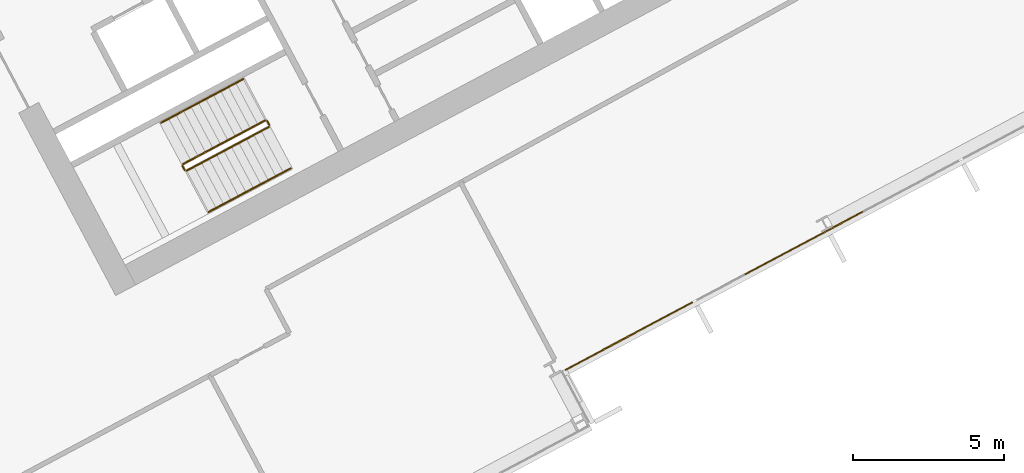
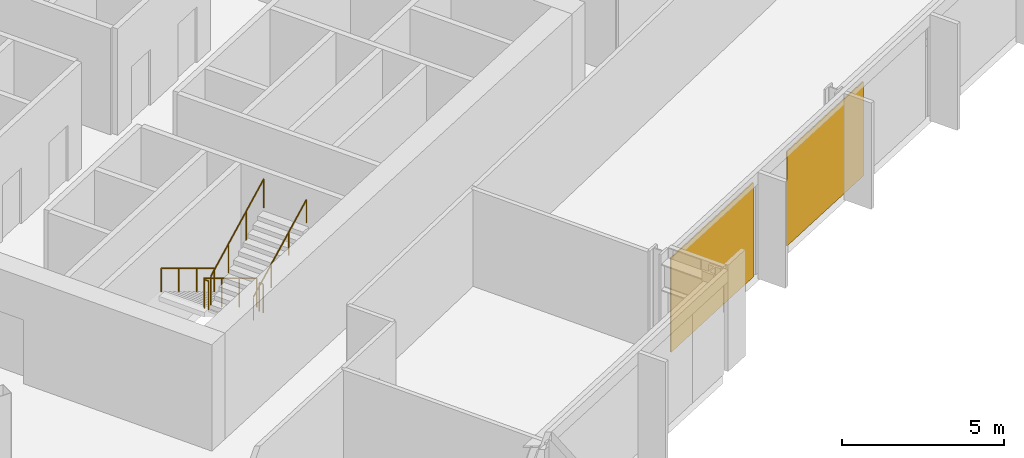
# One storey, part 25 of 28: 6 railings, 2 coverings, 1 element without a shape of its own.
"""IFC4 building model written with IfcOpenShell, lengths in metres."""

import ifcopenshell
import ifcopenshell.guid

model = None  # the IFC model being written
_history = None  # IfcOwnerHistory: only IFC2X3 demands one
_inside = {}  # id of a spatial element -> (the spatial element, [elements in it])
_under = {}  # id of a project, library or spatial element -> (it, [spatial elements below it])
_declared = {}  # id of a project -> (the project, [libraries it declares])
_typed = {}  # id of a type object -> (the type object, [elements of that type])
_made_of = {}  # id of a material, layer set ... -> (it, [elements and type objects made of it])


def new_model(schema):
    """Start an empty IFC model of exactly this schema.

    Asked for "IFC4X3", IfcOpenShell would pick the latest addendum, in which some entities
    have other attributes; the version numbers below select the first issue.
    IFC2X3 requires an IfcOwnerHistory on every rooted entity: one is made here for all.
    """
    global model, _history
    if schema == "IFC4X3":
        model = ifcopenshell.file(schema_version=(4, 3, 0, 0))
    else:
        model = ifcopenshell.file(schema=schema)
    _inside.clear()
    _under.clear()
    _declared.clear()
    _typed.clear()
    _made_of.clear()
    _history = None
    if model.schema == "IFC2X3":
        org = make("IfcOrganization", Name="unknown")
        user = make(
            "IfcPersonAndOrganization",
            ThePerson=make("IfcPerson", FamilyName="unknown"),
            TheOrganization=org,
        )
        app = make(
            "IfcApplication",
            ApplicationDeveloper=org,
            Version="unknown",
            ApplicationFullName="unknown",
            ApplicationIdentifier="unknown",
        )
        _history = make(
            "IfcOwnerHistory",
            OwningUser=user,
            OwningApplication=app,
            ChangeAction="ADDED",
            CreationDate=0,
        )
    return model


def make(cls, **values):
    """One entity of the class cls with the attributes given. An attribute that is None is left unset."""
    return model.create_entity(
        cls, **{name: value for name, value in values.items() if value is not None}
    )


def rooted(cls, **values):
    """An entity with a GlobalId (a new one), such as an element, a storey or a relation."""
    return make(cls, GlobalId=ifcopenshell.guid.new(), OwnerHistory=_history, **values)


def si_unit(unit_type, name, prefix=None):
    """IfcSIUnit, for example si_unit("LENGTHUNIT", "METRE", prefix="MILLI")."""
    return make("IfcSIUnit", UnitType=unit_type, Prefix=prefix, Name=name)


def assignment(units):
    """IfcUnitAssignment: the units of a project."""
    return None if units is None else make("IfcUnitAssignment", Units=units)


def point(xyz):
    """IfcCartesianPoint."""
    return None if xyz is None else make("IfcCartesianPoint", Coordinates=xyz)


def direction(xyz):
    """IfcDirection."""
    return None if xyz is None else make("IfcDirection", DirectionRatios=xyz)


def frame(location, z_axis=None, x_axis=None):
    """IfcAxis2Placement3D, a coordinate frame: its origin and axes. An axis left out is left unset."""
    return make(
        "IfcAxis2Placement3D",
        Location=point(location),
        Axis=direction(z_axis),
        RefDirection=direction(x_axis),
    )


def frame_2d(location, x_axis=None):
    """IfcAxis2Placement2D, a coordinate frame in the plane: its origin and x axis."""
    return make(
        "IfcAxis2Placement2D", Location=point(location), RefDirection=direction(x_axis)
    )


def origin():
    """The frame at (0, 0, 0) with its axes left unset."""
    return frame((0.0, 0.0, 0.0))


def origin_2d():
    """The frame at (0, 0) in the plane with its x axis left unset."""
    return frame_2d((0.0, 0.0))


def place(relative_to, where):
    """IfcLocalPlacement: puts the frame where relative to a parent placement (None: the world)."""
    return make(
        "IfcLocalPlacement", PlacementRelTo=relative_to, RelativePlacement=where
    )


def context(
    kind, dimensions, precision=None, world=None, true_north=None, identifier=None
):
    """IfcGeometricRepresentationContext, for example the 3D "Model" context."""
    return make(
        "IfcGeometricRepresentationContext",
        ContextIdentifier=identifier,
        ContextType=kind,
        CoordinateSpaceDimension=dimensions,
        Precision=precision,
        WorldCoordinateSystem=world,
        TrueNorth=true_north,
    )


def subcontext(parent, identifier, kind, view, scale=None):
    """IfcGeometricRepresentationSubContext, for example "Body" below "Model"."""
    return make(
        "IfcGeometricRepresentationSubContext",
        ContextIdentifier=identifier,
        ContextType=kind,
        ParentContext=parent,
        TargetScale=scale,
        TargetView=view,
    )


def project(units=None, contexts=None):
    """IfcProject with its units and contexts."""
    return rooted(
        "IfcProject",
        Name="project",
        RepresentationContexts=contexts,
        UnitsInContext=assignment(units),
    )


def spatial(cls, under=None, at=None, **own):
    """A site, building, storey or space (cls), placed at a placement, below another one or the project."""
    s = rooted(cls, ObjectPlacement=at, **own)
    if under is not None:
        _under.setdefault(under.id(), (under, []))[1].append(s)
    return s


def polyline(points):
    """IfcPolyline through the points."""
    return make("IfcPolyline", Points=[point(p) for p in points])


def profile(cls, at=None, kind="AREA", **sizes):
    """A parametric profile (cls). Its sizes go by their IFC names, for example OverallWidth=200.0."""
    return make(cls, ProfileType=kind, Position=at, **sizes)


def rectangle(**sizes):
    """IfcRectangleProfileDef."""
    return profile("IfcRectangleProfileDef", **sizes)


def outline(outer, holes=None, kind="AREA"):
    """IfcArbitraryClosedProfileDef: a profile drawn as a closed curve; with holes, ...WithVoids."""
    if holes is None:
        return make("IfcArbitraryClosedProfileDef", ProfileType=kind, OuterCurve=outer)
    return make(
        "IfcArbitraryProfileDefWithVoids",
        ProfileType=kind,
        OuterCurve=outer,
        InnerCurves=holes,
    )


def extrude(swept, where, along, depth):
    """IfcExtrudedAreaSolid: the profile swept, set in the frame where, extruded along a direction by depth."""
    return make(
        "IfcExtrudedAreaSolid",
        SweptArea=swept,
        Position=where,
        ExtrudedDirection=direction(along),
        Depth=depth,
    )


def shape(context_of_items, identifier, shape_type, items):
    """IfcShapeRepresentation: the items that make up one representation, for example the "Body"."""
    return make(
        "IfcShapeRepresentation",
        ContextOfItems=context_of_items,
        RepresentationIdentifier=identifier,
        RepresentationType=shape_type,
        Items=items,
    )


def material(Name=None, Category=None):
    """IfcMaterial."""
    return make("IfcMaterial", Name=Name, Category=Category)


def layer(
    of_material, thickness, ventilated=None, Name=None, Category=None, Priority=None
):
    """IfcMaterialLayer: one layer of a wall or slab, of a material (None: an air gap)."""
    return make(
        "IfcMaterialLayer",
        Material=of_material,
        LayerThickness=thickness,
        IsVentilated=ventilated,
        Name=Name,
        Category=Category,
        Priority=Priority,
    )


def layer_set(layers, Name=None):
    """IfcMaterialLayerSet."""
    return make("IfcMaterialLayerSet", MaterialLayers=layers, LayerSetName=Name)


def made_of(thing, what):
    """Note that an element or type object is made of a material, layer set ...; save() writes the relation."""
    if what is not None:
        _made_of.setdefault(what.id(), (what, []))[1].append(thing)
    return thing


def type_object(cls, material=None, **own):
    """A type object (cls), such as IfcWallType, which elements share."""
    return made_of(rooted(cls, **own), material)


def element(
    cls,
    number,
    at=None,
    inside=None,
    cuts=None,
    type_object=None,
    material=None,
    context=None,
    identifier="Body",
    shape_type=None,
    held_by="IfcProductDefinitionShape",
    body=None,
    shapes=None,
    **own,
):
    """One element of the class cls, such as IfcWall. Its Tag is "e" and its number.

    at: its placement. inside: the storey or other place that contains it. cuts: it is an
    opening in that element (IfcRelVoidsElement). A single representation is given by context,
    identifier, shape_type and body (its items); several are given by shapes. held_by: the class
    of the entity that holds the representations. save() writes the other relations.
    """
    e = rooted(cls, Tag="e%d" % number, ObjectPlacement=at, **own)
    if body is not None:
        shapes = [shape(context, identifier, shape_type, body)]
    if shapes is not None:
        e.Representation = make(held_by, Representations=shapes)
    if inside is not None:
        _inside.setdefault(inside.id(), (inside, []))[1].append(e)
    if cuts is not None:
        rooted(
            "IfcRelVoidsElement", RelatingBuildingElement=cuts, RelatedOpeningElement=e
        )
    if type_object is not None:
        _typed.setdefault(type_object.id(), (type_object, []))[1].append(e)
    return made_of(e, material)


def aggregate(whole, parts):
    """IfcRelAggregates: a whole, such as a stair, and the parts it consists of."""
    return rooted("IfcRelAggregates", RelatingObject=whole, RelatedObjects=parts)


def save(model, path):
    """Write the relations noted so far, then the file.

    IfcRelAggregates (storeys below a building ...), IfcRelContainedInSpatialStructure (elements
    in a storey), IfcRelDefinesByType, IfcRelAssociatesMaterial and IfcRelDeclares: one each for
    every whole, place, type object, material and project.
    """
    for whole, parts in _under.values():
        aggregate(whole, parts)
    for where, things in _inside.values():
        rooted(
            "IfcRelContainedInSpatialStructure",
            RelatedElements=things,
            RelatingStructure=where,
        )
    for kind, things in _typed.values():
        rooted("IfcRelDefinesByType", RelatedObjects=things, RelatingType=kind)
    for what, things in _made_of.values():
        rooted("IfcRelAssociatesMaterial", RelatedObjects=things, RelatingMaterial=what)
    for by, libraries in _declared.values():
        rooted("IfcRelDeclares", RelatingContext=by, RelatedDefinitions=libraries)
    model.write(path)


model = new_model("IFC4")

# Units and contexts
model_context = context("Model", 3, precision=1e-05, world=origin(), true_north=direction((0.0, 1.0)))
body_context = subcontext(model_context, "Body", "Model", "MODEL_VIEW")
ifc_project = project(units=[si_unit("LENGTHUNIT", "METRE"), si_unit("AREAUNIT", "SQUARE_METRE"), si_unit("VOLUMEUNIT", "CUBIC_METRE"), si_unit("PLANEANGLEUNIT", "RADIAN"), si_unit("MASSUNIT", "GRAM", prefix="KILO")], contexts=[model_context])

# Site, building, storey
site_placement = place(None, origin())
site = spatial("IfcSite", under=ifc_project, at=site_placement, CompositionType="ELEMENT")
building_placement = place(site_placement, origin())
building = spatial("IfcBuilding", under=site, at=building_placement, Name="Cormorant Relay Tower", CompositionType="ELEMENT")
storey_placement = place(building_placement, frame((0.0, 0.0, 166.199951171875)))
storey = spatial("IfcBuildingStorey", under=building, at=storey_placement, Name="L35", CompositionType="ELEMENT", Elevation=166.199951171875)

# Curtain wall, coverings
ifc_material_1 = material(Name="Aluminium 6063-T6 anodised bronze", Category="aluminium")
ifc_layer_1 = layer(ifc_material_1, 0.199951171875)
ifc_layer_set_1 = layer_set([ifc_layer_1], Name="CW1 unitised bronze curtain wall with vertical fins")
curtain_wall_type = type_object("IfcCurtainWallType", Name="CW1 unitised bronze curtain wall with vertical fins", PredefinedType="NOTDEFINED", material=ifc_layer_set_1)
curtain_wall_placement = place(storey_placement, origin())
curtain_wall = element("IfcCurtainWall", 1, at=curtain_wall_placement, inside=storey, type_object=curtain_wall_type, Name="CW1 curtain wall 4", PredefinedType="NOTDEFINED")
ifc_material_2 = material(Name="Pale bronze anodised aluminium insulated panel", Category="aluminium")
ifc_layer_2 = layer(ifc_material_2, 0.0400390625)
ifc_layer_set_2 = layer_set([ifc_layer_2], Name="CW1 pale bronze insulated panel 40")
covering_type = type_object("IfcCoveringType", Name="CW1 pale bronze insulated panel 40", PredefinedType="CLADDING", material=ifc_layer_set_2)
covering_1_placement = place(storey_placement, frame((35.892333984375, -2.457275390625, 0.0), z_axis=(0.0, 0.0, 1.0), x_axis=(0.882947592859, 0.469471562786, 0.0)))
covering_1 = element("IfcCovering", 2, at=covering_1_placement, type_object=covering_type, Name="CW1 panel S00", PredefinedType="CLADDING", context=body_context, shape_type="SweptSolid", body=[
    extrude(rectangle(XDim=4.77490234375, YDim=0.0400390625, at=origin_2d()), origin(), (0.0, 0.0, 1.0), 3.550048828125),
])
covering_2_placement = place(storey_placement, frame((41.686767578125, 0.623779296875, 0.0), z_axis=(0.0, 0.0, 1.0), x_axis=(0.882947592859, 0.469471562786, 0.0)))
covering_2 = element("IfcCovering", 3, at=covering_2_placement, type_object=covering_type, Name="CW1 panel S02", PredefinedType="CLADDING", context=body_context, shape_type="SweptSolid", body=[
    extrude(rectangle(XDim=4.449951171875, YDim=0.0400390625, at=origin_2d()), origin(), (0.0, 0.0, 1.0), 3.550048828125),
])
aggregate(curtain_wall, [covering_1, covering_2])

# Railings
ifc_material_3 = material(Name="Steel ASTM A572 Grade 50 (Fy 345 MPa)", Category="steel")
railing_type_1 = type_object("IfcRailingType", Name="Stair guard 1100", PredefinedType="GUARDRAIL", material=ifc_material_3)
railing_1_placement = place(storey_placement, frame((23.83837890625, 4.6904296875, 0.166748046875)))
element("IfcRailing", 4, at=railing_1_placement, inside=storey, type_object=railing_type_1, Name="L35 B1 stair guard 1", PredefinedType="GUARDRAIL", context=body_context, shape_type="SweptSolid", body=[
    extrude(outline(polyline([(0.022216796875, 0.00927734375), (0.00927734375, 0.022216796875), (-0.00927734375, 0.022216796875), (-0.022216796875, 0.00927734375), (-0.022216796875, -0.00927734375), (-0.00927734375, -0.022216796875), (0.00927734375, -0.022216796875), (0.022216796875, -0.00927734375), (0.022216796875, 0.00927734375)])), frame((0.0, 0.0, 1.076171875), z_axis=(-0.758713656843, -0.403434867536, 0.511462505542), x_axis=(0.469489399267, -0.882938108802, 0.0)), (0.0, 0.0, 1.0), 3.584228515625),
    extrude(outline(polyline([(0.019287109375, 0.008056640625), (0.008056640625, 0.019287109375), (-0.008056640625, 0.019287109375), (-0.019287109375, 0.008056640625), (-0.019287109375, -0.008056640625), (-0.008056640625, -0.019287109375), (0.008056640625, -0.019287109375), (0.019287109375, -0.008056640625), (0.019287109375, 0.008056640625)])), origin(), (0.0, 0.0, 1.0), 1.052001953125),
    extrude(outline(polyline([(0.019287109375, 0.008056640625), (0.008056640625, 0.019287109375), (-0.008056640625, 0.019287109375), (-0.019287109375, 0.008056640625), (-0.019287109375, -0.008056640625), (-0.008056640625, -0.019287109375), (0.008056640625, -0.019287109375), (0.019287109375, -0.008056640625), (0.019287109375, 0.008056640625)])), frame((-0.906494140625, -0.48193359375, 0.611083984375)), (0.0, 0.0, 1.0), 1.052001953125),
    extrude(outline(polyline([(0.019287109375, 0.008056640625), (0.008056640625, 0.019287109375), (-0.008056640625, 0.019287109375), (-0.019287109375, 0.008056640625), (-0.019287109375, -0.008056640625), (-0.008056640625, -0.019287109375), (0.008056640625, -0.019287109375), (0.019287109375, -0.008056640625), (0.019287109375, 0.008056640625)])), frame((-1.81298828125, -0.964111328125, 1.22216796875)), (0.0, 0.0, 1.0), 1.052001953125),
    extrude(outline(polyline([(0.019287109375, 0.008056640625), (0.008056640625, 0.019287109375), (-0.008056640625, 0.019287109375), (-0.019287109375, 0.008056640625), (-0.019287109375, -0.008056640625), (-0.008056640625, -0.019287109375), (0.008056640625, -0.019287109375), (0.019287109375, -0.008056640625), (0.019287109375, 0.008056640625)])), frame((-2.719482421875, -1.446044921875, 1.833251953125)), (0.0, 0.0, 1.0), 1.052001953125),
])
railing_2_placement = place(storey_placement, frame((21.09814453125, 3.1767578125, 2.0)))
element("IfcRailing", 5, at=railing_2_placement, inside=storey, type_object=railing_type_1, Name="L35 B1 stair guard 2", PredefinedType="GUARDRAIL", context=body_context, shape_type="SweptSolid", body=[
    extrude(outline(polyline([(0.022216796875, 0.00927734375), (0.00927734375, 0.022216796875), (-0.00927734375, 0.022216796875), (-0.022216796875, 0.00927734375), (-0.022216796875, -0.00927734375), (-0.00927734375, -0.022216796875), (0.00927734375, -0.022216796875), (0.022216796875, -0.00927734375), (0.022216796875, 0.00927734375)])), frame((0.0, 0.0, 1.076171875), z_axis=(0.469234640946, -0.883073525669, 0.0), x_axis=(0.883073525669, 0.469234640946, 0.0)), (0.0, 0.0, 1.0), 0.14990234375),
    extrude(outline(polyline([(0.019287109375, 0.008056640625), (0.008056640625, 0.019287109375), (-0.008056640625, 0.019287109375), (-0.019287109375, 0.008056640625), (-0.019287109375, -0.008056640625), (-0.008056640625, -0.019287109375), (0.008056640625, -0.019287109375), (0.019287109375, -0.008056640625), (0.019287109375, 0.008056640625)])), origin(), (0.0, 0.0, 1.0), 1.052001953125),
    extrude(outline(polyline([(0.019287109375, 0.008056640625), (0.008056640625, 0.019287109375), (-0.008056640625, 0.019287109375), (-0.019287109375, 0.008056640625), (-0.019287109375, -0.008056640625), (-0.008056640625, -0.019287109375), (0.008056640625, -0.019287109375), (0.019287109375, -0.008056640625), (0.019287109375, 0.008056640625)])), frame((0.0703125, -0.13232421875, 0.0)), (0.0, 0.0, 1.0), 1.052001953125),
])
railing_3_placement = place(storey_placement, frame((21.236083984375, 3.023681640625, 2.166748046875)))
element("IfcRailing", 6, at=railing_3_placement, inside=storey, type_object=railing_type_1, Name="L35 B1 stair guard 3", PredefinedType="GUARDRAIL", context=body_context, shape_type="SweptSolid", body=[
    extrude(outline(polyline([(0.022216796875, 0.00927734375), (0.00927734375, 0.022216796875), (-0.00927734375, 0.022216796875), (-0.022216796875, 0.00927734375), (-0.022216796875, -0.00927734375), (-0.00927734375, -0.022216796875), (0.00927734375, -0.022216796875), (0.022216796875, -0.00927734375), (0.022216796875, 0.00927734375)])), frame((0.0, 0.0, 1.076171875), z_axis=(0.758713656843, 0.403434867536, 0.511462505542), x_axis=(-0.469489399267, 0.882938108802, 0.0)), (0.0, 0.0, 1.0), 3.584228515625),
    extrude(outline(polyline([(0.019287109375, 0.008056640625), (0.008056640625, 0.019287109375), (-0.008056640625, 0.019287109375), (-0.019287109375, 0.008056640625), (-0.019287109375, -0.008056640625), (-0.008056640625, -0.019287109375), (0.008056640625, -0.019287109375), (0.019287109375, -0.008056640625), (0.019287109375, 0.008056640625)])), origin(), (0.0, 0.0, 1.0), 1.052001953125),
    extrude(outline(polyline([(0.019287109375, 0.008056640625), (0.008056640625, 0.019287109375), (-0.008056640625, 0.019287109375), (-0.019287109375, 0.008056640625), (-0.019287109375, -0.008056640625), (-0.008056640625, -0.019287109375), (0.008056640625, -0.019287109375), (0.019287109375, -0.008056640625), (0.019287109375, 0.008056640625)])), frame((0.906494140625, 0.48193359375, 0.611083984375)), (0.0, 0.0, 1.0), 1.052001953125),
    extrude(outline(polyline([(0.019287109375, 0.008056640625), (0.008056640625, 0.019287109375), (-0.008056640625, 0.019287109375), (-0.019287109375, 0.008056640625), (-0.019287109375, -0.008056640625), (-0.008056640625, -0.019287109375), (0.008056640625, -0.019287109375), (0.019287109375, -0.008056640625), (0.019287109375, 0.008056640625)])), frame((1.81298828125, 0.964111328125, 1.22216796875)), (0.0, 0.0, 1.0), 1.052001953125),
    extrude(outline(polyline([(0.019287109375, 0.008056640625), (0.008056640625, 0.019287109375), (-0.008056640625, 0.019287109375), (-0.019287109375, 0.008056640625), (-0.019287109375, -0.008056640625), (-0.008056640625, -0.019287109375), (0.008056640625, -0.019287109375), (0.019287109375, -0.008056640625), (0.019287109375, 0.008056640625)])), frame((2.719482421875, 1.446044921875, 1.833251953125)), (0.0, 0.0, 1.0), 1.052001953125),
])
railing_4_placement = place(storey_placement, frame((23.906005859375, 4.669677734375, 0.0)))
element("IfcRailing", 7, at=railing_4_placement, inside=storey, type_object=railing_type_1, Name="L35 B1 stair guard 4", PredefinedType="GUARDRAIL", context=body_context, shape_type="SweptSolid", body=[
    extrude(outline(polyline([(0.022216796875, 0.00927734375), (0.00927734375, 0.022216796875), (-0.00927734375, 0.022216796875), (-0.022216796875, 0.00927734375), (-0.022216796875, -0.00927734375), (-0.00927734375, -0.022216796875), (0.00927734375, -0.022216796875), (0.022216796875, -0.00927734375), (0.022216796875, 0.00927734375)])), frame((0.0, 0.0, 1.076171875), z_axis=(0.469234640946, -0.883073525669, 0.0), x_axis=(0.883073525669, 0.469234640946, 0.0)), (0.0, 0.0, 1.0), 0.14990234375),
    extrude(outline(polyline([(0.019287109375, 0.008056640625), (0.008056640625, 0.019287109375), (-0.008056640625, 0.019287109375), (-0.019287109375, 0.008056640625), (-0.019287109375, -0.008056640625), (-0.008056640625, -0.019287109375), (0.008056640625, -0.019287109375), (0.019287109375, -0.008056640625), (0.019287109375, 0.008056640625)])), origin(), (0.0, 0.0, 1.0), 1.052001953125),
    extrude(outline(polyline([(0.019287109375, 0.008056640625), (0.008056640625, 0.019287109375), (-0.008056640625, 0.019287109375), (-0.019287109375, 0.008056640625), (-0.019287109375, -0.008056640625), (-0.008056640625, -0.019287109375), (0.008056640625, -0.019287109375), (0.019287109375, -0.008056640625), (0.019287109375, 0.008056640625)])), frame((0.0703125, -0.13232421875, 0.0)), (0.0, 0.0, 1.0), 1.052001953125),
])
ifc_material_4 = material(Name="Steel ASTM A572 Grade 50 (Fy 345 MPa)", Category="steel")
railing_type_2 = type_object("IfcRailingType", Name="Stair handrail 900", PredefinedType="HANDRAIL", material=ifc_material_4)
railing_5_placement = place(storey_placement, frame((23.110595703125, 6.05908203125, 0.166748046875)))
element("IfcRailing", 8, at=railing_5_placement, inside=storey, type_object=railing_type_2, Name="L35 B1 stair handrail 1", PredefinedType="HANDRAIL", context=body_context, shape_type="SweptSolid", body=[
    extrude(outline(polyline([(0.022216796875, 0.00927734375), (0.00927734375, 0.022216796875), (-0.00927734375, 0.022216796875), (-0.022216796875, 0.00927734375), (-0.022216796875, -0.00927734375), (-0.00927734375, -0.022216796875), (0.00927734375, -0.022216796875), (0.022216796875, -0.00927734375), (0.022216796875, 0.00927734375)])), frame((0.0, 0.0, 0.8759765625), z_axis=(-0.758713656843, -0.403434867536, 0.511462505542), x_axis=(0.469489399267, -0.882938108802, 0.0)), (0.0, 0.0, 1.0), 3.584228515625),
    extrude(outline(polyline([(0.019287109375, 0.008056640625), (0.008056640625, 0.019287109375), (-0.008056640625, 0.019287109375), (-0.019287109375, 0.008056640625), (-0.019287109375, -0.008056640625), (-0.008056640625, -0.019287109375), (0.008056640625, -0.019287109375), (0.019287109375, -0.008056640625), (0.019287109375, 0.008056640625)])), origin(), (0.0, 0.0, 1.0), 0.851806640625),
    extrude(outline(polyline([(0.019287109375, 0.008056640625), (0.008056640625, 0.019287109375), (-0.008056640625, 0.019287109375), (-0.019287109375, 0.008056640625), (-0.019287109375, -0.008056640625), (-0.008056640625, -0.019287109375), (0.008056640625, -0.019287109375), (0.019287109375, -0.008056640625), (0.019287109375, 0.008056640625)])), frame((-0.906494140625, -0.48193359375, 0.611083984375)), (0.0, 0.0, 1.0), 0.851806640625),
    extrude(outline(polyline([(0.019287109375, 0.008056640625), (0.008056640625, 0.019287109375), (-0.008056640625, 0.019287109375), (-0.019287109375, 0.008056640625), (-0.019287109375, -0.008056640625), (-0.008056640625, -0.019287109375), (0.008056640625, -0.019287109375), (0.019287109375, -0.008056640625), (0.019287109375, 0.008056640625)])), frame((-1.81298828125, -0.964111328125, 1.22216796875)), (0.0, 0.0, 1.0), 0.851806640625),
    extrude(outline(polyline([(0.019287109375, 0.008056640625), (0.008056640625, 0.019287109375), (-0.008056640625, 0.019287109375), (-0.019287109375, 0.008056640625), (-0.019287109375, -0.008056640625), (-0.008056640625, -0.019287109375), (0.008056640625, -0.019287109375), (0.019287109375, -0.008056640625), (0.019287109375, 0.008056640625)])), frame((-2.719482421875, -1.446044921875, 1.833251953125)), (0.0, 0.0, 1.0), 0.851806640625),
])
railing_6_placement = place(storey_placement, frame((21.9638671875, 1.6552734375, 2.166748046875)))
element("IfcRailing", 9, at=railing_6_placement, inside=storey, type_object=railing_type_2, Name="L35 B1 stair handrail 2", PredefinedType="HANDRAIL", context=body_context, shape_type="SweptSolid", body=[
    extrude(outline(polyline([(0.022216796875, 0.00927734375), (0.00927734375, 0.022216796875), (-0.00927734375, 0.022216796875), (-0.022216796875, 0.00927734375), (-0.022216796875, -0.00927734375), (-0.00927734375, -0.022216796875), (0.00927734375, -0.022216796875), (0.022216796875, -0.00927734375), (0.022216796875, 0.00927734375)])), frame((0.0, 0.0, 0.8759765625), z_axis=(0.758734504837, 0.403377838015, 0.511476559549), x_axis=(-0.469427602063, 0.882970965786, 0.0)), (0.0, 0.0, 1.0), 3.584228515625),
    extrude(outline(polyline([(0.019287109375, 0.008056640625), (0.008056640625, 0.019287109375), (-0.008056640625, 0.019287109375), (-0.019287109375, 0.008056640625), (-0.019287109375, -0.008056640625), (-0.008056640625, -0.019287109375), (0.008056640625, -0.019287109375), (0.019287109375, -0.008056640625), (0.019287109375, 0.008056640625)])), origin(), (0.0, 0.0, 1.0), 0.851806640625),
    extrude(outline(polyline([(0.019287109375, 0.008056640625), (0.008056640625, 0.019287109375), (-0.008056640625, 0.019287109375), (-0.019287109375, 0.008056640625), (-0.019287109375, -0.008056640625), (-0.008056640625, -0.019287109375), (0.008056640625, -0.019287109375), (0.019287109375, -0.008056640625), (0.019287109375, 0.008056640625)])), frame((0.906494140625, 0.48193359375, 0.611083984375)), (0.0, 0.0, 1.0), 0.851806640625),
    extrude(outline(polyline([(0.019287109375, 0.008056640625), (0.008056640625, 0.019287109375), (-0.008056640625, 0.019287109375), (-0.019287109375, 0.008056640625), (-0.019287109375, -0.008056640625), (-0.008056640625, -0.019287109375), (0.008056640625, -0.019287109375), (0.019287109375, -0.008056640625), (0.019287109375, 0.008056640625)])), frame((1.81298828125, 0.9638671875, 1.22216796875)), (0.0, 0.0, 1.0), 0.851806640625),
    extrude(outline(polyline([(0.019287109375, 0.008056640625), (0.008056640625, 0.019287109375), (-0.008056640625, 0.019287109375), (-0.019287109375, 0.008056640625), (-0.019287109375, -0.008056640625), (-0.008056640625, -0.019287109375), (0.008056640625, -0.019287109375), (0.019287109375, -0.008056640625), (0.019287109375, 0.008056640625)])), frame((2.719482421875, 1.44580078125, 1.833251953125)), (0.0, 0.0, 1.0), 0.851806640625),
])

save(model, "model.ifc")
